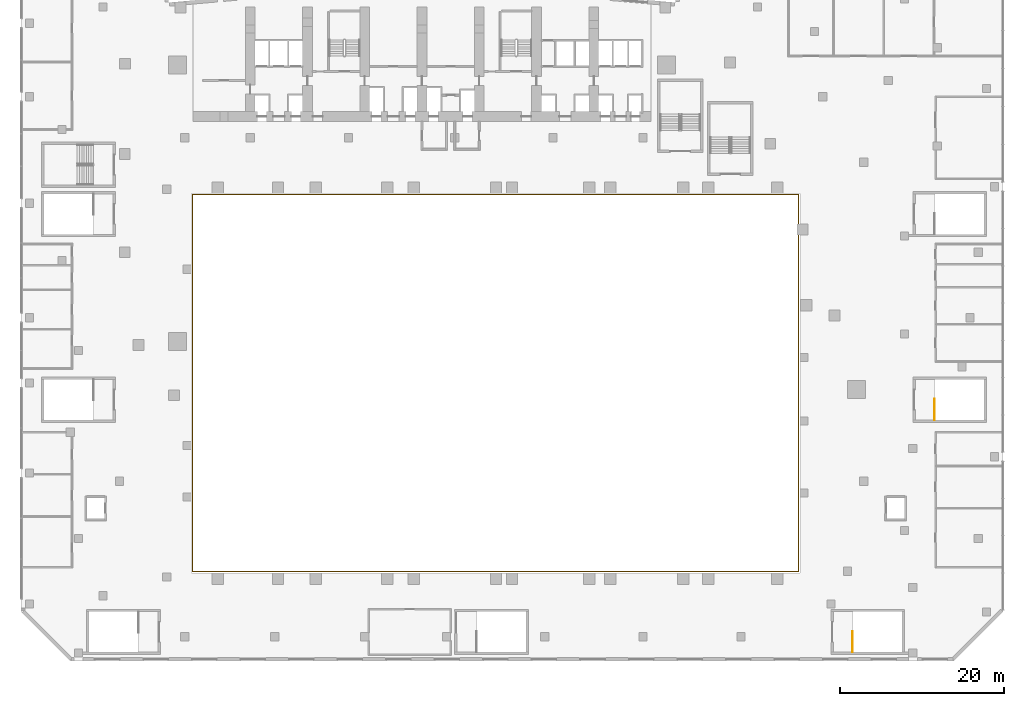
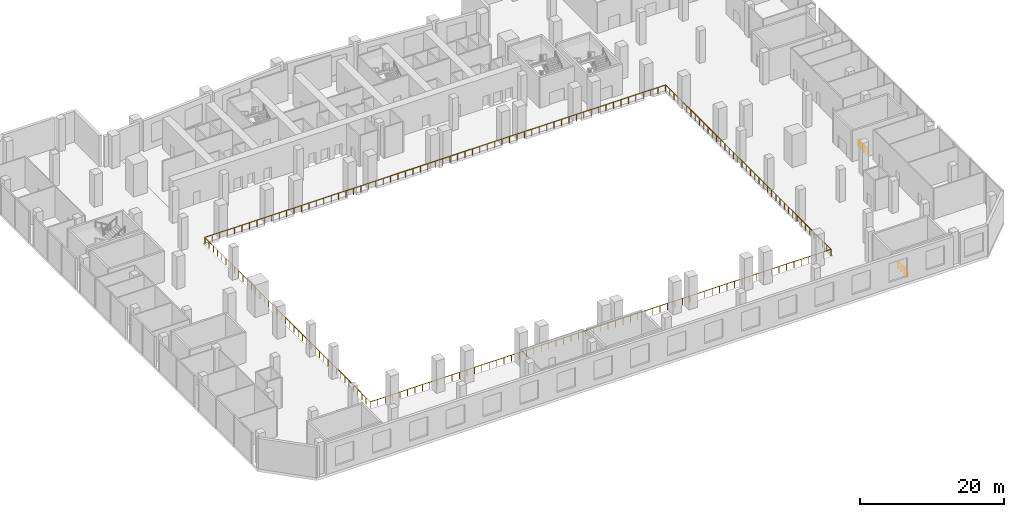
# One storey, part 22 of 25: 3 railings.
"""IFC4 building model written with IfcOpenShell, lengths in metres."""

from ifc_helpers import new_model, si_unit, direction, frame, origin, origin_2d, place, context, subcontext, project, spatial, circle, extrude, material, type_object, element, save


model = new_model("IFC4")

# Units and contexts
model_context = context("Model", 3, precision=1e-05, world=origin(), true_north=direction((0.0, 1.0)))
body_context = subcontext(model_context, "Body", "Model", "MODEL_VIEW")
ifc_project = project(units=[si_unit("LENGTHUNIT", "METRE"), si_unit("AREAUNIT", "SQUARE_METRE"), si_unit("VOLUMEUNIT", "CUBIC_METRE"), si_unit("PLANEANGLEUNIT", "RADIAN"), si_unit("MASSUNIT", "GRAM", prefix="KILO")], contexts=[model_context])

# Site, building, storey
site_placement = place(None, origin())
site = spatial("IfcSite", under=ifc_project, at=site_placement, CompositionType="ELEMENT")
building_placement = place(site_placement, origin())
building = spatial("IfcBuilding", under=site, at=building_placement, Name="Wharfspan Tower", CompositionType="ELEMENT")
storey_placement = place(building_placement, frame((0.0, 0.0, 27.5)))
storey = spatial("IfcBuildingStorey", under=building, at=storey_placement, Name="L04", CompositionType="ELEMENT", Elevation=27.5)

# Railings
ifc_material = material(Name="Steel S355J2", Category="steel")
railing_type_1 = type_object("IfcRailingType", Name="Guard 1100", PredefinedType="GUARDRAIL", material=ifc_material)
railing_1_placement = place(storey_placement, frame((8.949951, -21.050049, 0.0)))
element("IfcRailing", 1, at=railing_1_placement, inside=storey, type_object=railing_type_1, Name="Guard on the arena edge L04", PredefinedType="GUARDRAIL", context=body_context, shape_type="SweptSolid", body=[
    extrude(circle(Radius=0.024902, at=origin_2d()), frame((0.0, 0.0, 1.075195), z_axis=(1.0, 0.0, 0.0), x_axis=(0.0, 1.0, 0.0)), (0.0, 0.0, 1.0), 74.100098),
    extrude(circle(Radius=0.024902, at=origin_2d()), frame((74.100098, 0.0, 1.075195), z_axis=(0.0, 1.0, 0.0), x_axis=(-1.0, 0.0, 0.0)), (0.0, 0.0, 1.0), 46.100098),
    extrude(circle(Radius=0.024902, at=origin_2d()), frame((74.100098, 46.100098, 1.075195), z_axis=(-1.0, 0.0, 0.0), x_axis=(0.0, -1.0, 0.0)), (0.0, 0.0, 1.0), 74.100098),
    extrude(circle(Radius=0.024902, at=origin_2d()), frame((0.0, 46.100098, 1.075195), z_axis=(0.0, -1.0, 0.0), x_axis=(1.0, 0.0, 0.0)), (0.0, 0.0, 1.0), 46.100098),
    extrude(circle(Radius=0.02002, at=origin_2d()), origin(), (0.0, 0.0, 1.0), 1.050049),
    extrude(circle(Radius=0.02002, at=origin_2d()), frame((1.195068, 0.0, 0.0)), (0.0, 0.0, 1.0), 1.050049),
    extrude(circle(Radius=0.02002, at=origin_2d()), frame((2.390381, 0.0, 0.0)), (0.0, 0.0, 1.0), 1.050049),
    extrude(circle(Radius=0.02002, at=origin_2d()), frame((3.585449, 0.0, 0.0)), (0.0, 0.0, 1.0), 1.050049),
    extrude(circle(Radius=0.02002, at=origin_2d()), frame((4.780762, 0.0, 0.0)), (0.0, 0.0, 1.0), 1.050049),
    extrude(circle(Radius=0.02002, at=origin_2d()), frame((5.97583, 0.0, 0.0)), (0.0, 0.0, 1.0), 1.050049),
    extrude(circle(Radius=0.02002, at=origin_2d()), frame((7.170898, 0.0, 0.0)), (0.0, 0.0, 1.0), 1.050049),
    extrude(circle(Radius=0.02002, at=origin_2d()), frame((8.366211, 0.0, 0.0)), (0.0, 0.0, 1.0), 1.050049),
    extrude(circle(Radius=0.02002, at=origin_2d()), frame((9.561279, 0.0, 0.0)), (0.0, 0.0, 1.0), 1.050049),
    extrude(circle(Radius=0.02002, at=origin_2d()), frame((10.756348, 0.0, 0.0)), (0.0, 0.0, 1.0), 1.050049),
    extrude(circle(Radius=0.02002, at=origin_2d()), frame((11.95166, 0.0, 0.0)), (0.0, 0.0, 1.0), 1.050049),
    extrude(circle(Radius=0.02002, at=origin_2d()), frame((13.146729, 0.0, 0.0)), (0.0, 0.0, 1.0), 1.050049),
    extrude(circle(Radius=0.02002, at=origin_2d()), frame((14.342041, 0.0, 0.0)), (0.0, 0.0, 1.0), 1.050049),
    extrude(circle(Radius=0.02002, at=origin_2d()), frame((15.537109, 0.0, 0.0)), (0.0, 0.0, 1.0), 1.050049),
    extrude(circle(Radius=0.02002, at=origin_2d()), frame((16.732178, 0.0, 0.0)), (0.0, 0.0, 1.0), 1.050049),
    extrude(circle(Radius=0.02002, at=origin_2d()), frame((17.92749, 0.0, 0.0)), (0.0, 0.0, 1.0), 1.050049),
    extrude(circle(Radius=0.02002, at=origin_2d()), frame((19.122559, 0.0, 0.0)), (0.0, 0.0, 1.0), 1.050049),
    extrude(circle(Radius=0.02002, at=origin_2d()), frame((20.317871, 0.0, 0.0)), (0.0, 0.0, 1.0), 1.050049),
    extrude(circle(Radius=0.02002, at=origin_2d()), frame((21.512939, 0.0, 0.0)), (0.0, 0.0, 1.0), 1.050049),
    extrude(circle(Radius=0.02002, at=origin_2d()), frame((22.708008, 0.0, 0.0)), (0.0, 0.0, 1.0), 1.050049),
    extrude(circle(Radius=0.02002, at=origin_2d()), frame((23.90332, 0.0, 0.0)), (0.0, 0.0, 1.0), 1.050049),
    extrude(circle(Radius=0.02002, at=origin_2d()), frame((25.098389, 0.0, 0.0)), (0.0, 0.0, 1.0), 1.050049),
    extrude(circle(Radius=0.02002, at=origin_2d()), frame((26.293701, 0.0, 0.0)), (0.0, 0.0, 1.0), 1.050049),
    extrude(circle(Radius=0.02002, at=origin_2d()), frame((27.48877, 0.0, 0.0)), (0.0, 0.0, 1.0), 1.050049),
    extrude(circle(Radius=0.02002, at=origin_2d()), frame((28.683838, 0.0, 0.0)), (0.0, 0.0, 1.0), 1.050049),
    extrude(circle(Radius=0.02002, at=origin_2d()), frame((29.87915, 0.0, 0.0)), (0.0, 0.0, 1.0), 1.050049),
    extrude(circle(Radius=0.02002, at=origin_2d()), frame((31.074219, 0.0, 0.0)), (0.0, 0.0, 1.0), 1.050049),
    extrude(circle(Radius=0.02002, at=origin_2d()), frame((32.269287, 0.0, 0.0)), (0.0, 0.0, 1.0), 1.050049),
    extrude(circle(Radius=0.02002, at=origin_2d()), frame((33.4646, 0.0, 0.0)), (0.0, 0.0, 1.0), 1.050049),
    extrude(circle(Radius=0.02002, at=origin_2d()), frame((34.659668, 0.0, 0.0)), (0.0, 0.0, 1.0), 1.050049),
    extrude(circle(Radius=0.02002, at=origin_2d()), frame((35.85498, 0.0, 0.0)), (0.0, 0.0, 1.0), 1.050049),
    extrude(circle(Radius=0.02002, at=origin_2d()), frame((37.050049, 0.0, 0.0)), (0.0, 0.0, 1.0), 1.050049),
    extrude(circle(Radius=0.02002, at=origin_2d()), frame((38.245117, 0.0, 0.0)), (0.0, 0.0, 1.0), 1.050049),
    extrude(circle(Radius=0.02002, at=origin_2d()), frame((39.44043, 0.0, 0.0)), (0.0, 0.0, 1.0), 1.050049),
    extrude(circle(Radius=0.02002, at=origin_2d()), frame((40.635498, 0.0, 0.0)), (0.0, 0.0, 1.0), 1.050049),
    extrude(circle(Radius=0.02002, at=origin_2d()), frame((41.830811, 0.0, 0.0)), (0.0, 0.0, 1.0), 1.050049),
    extrude(circle(Radius=0.02002, at=origin_2d()), frame((43.025879, 0.0, 0.0)), (0.0, 0.0, 1.0), 1.050049),
    extrude(circle(Radius=0.02002, at=origin_2d()), frame((44.220947, 0.0, 0.0)), (0.0, 0.0, 1.0), 1.050049),
    extrude(circle(Radius=0.02002, at=origin_2d()), frame((45.41626, 0.0, 0.0)), (0.0, 0.0, 1.0), 1.050049),
    extrude(circle(Radius=0.02002, at=origin_2d()), frame((46.611328, 0.0, 0.0)), (0.0, 0.0, 1.0), 1.050049),
    extrude(circle(Radius=0.02002, at=origin_2d()), frame((47.806396, 0.0, 0.0)), (0.0, 0.0, 1.0), 1.050049),
    extrude(circle(Radius=0.02002, at=origin_2d()), frame((49.001709, 0.0, 0.0)), (0.0, 0.0, 1.0), 1.050049),
    extrude(circle(Radius=0.02002, at=origin_2d()), frame((50.196777, 0.0, 0.0)), (0.0, 0.0, 1.0), 1.050049),
    extrude(circle(Radius=0.02002, at=origin_2d()), frame((51.39209, 0.0, 0.0)), (0.0, 0.0, 1.0), 1.050049),
    extrude(circle(Radius=0.02002, at=origin_2d()), frame((52.587158, 0.0, 0.0)), (0.0, 0.0, 1.0), 1.050049),
    extrude(circle(Radius=0.02002, at=origin_2d()), frame((53.782227, 0.0, 0.0)), (0.0, 0.0, 1.0), 1.050049),
    extrude(circle(Radius=0.02002, at=origin_2d()), frame((54.977539, 0.0, 0.0)), (0.0, 0.0, 1.0), 1.050049),
    extrude(circle(Radius=0.02002, at=origin_2d()), frame((56.172607, 0.0, 0.0)), (0.0, 0.0, 1.0), 1.050049),
    extrude(circle(Radius=0.02002, at=origin_2d()), frame((57.36792, 0.0, 0.0)), (0.0, 0.0, 1.0), 1.050049),
    extrude(circle(Radius=0.02002, at=origin_2d()), frame((58.562988, 0.0, 0.0)), (0.0, 0.0, 1.0), 1.050049),
    extrude(circle(Radius=0.02002, at=origin_2d()), frame((59.758057, 0.0, 0.0)), (0.0, 0.0, 1.0), 1.050049),
    extrude(circle(Radius=0.02002, at=origin_2d()), frame((60.953369, 0.0, 0.0)), (0.0, 0.0, 1.0), 1.050049),
    extrude(circle(Radius=0.02002, at=origin_2d()), frame((62.148438, 0.0, 0.0)), (0.0, 0.0, 1.0), 1.050049),
    extrude(circle(Radius=0.02002, at=origin_2d()), frame((63.34375, 0.0, 0.0)), (0.0, 0.0, 1.0), 1.050049),
    extrude(circle(Radius=0.02002, at=origin_2d()), frame((64.538818, 0.0, 0.0)), (0.0, 0.0, 1.0), 1.050049),
    extrude(circle(Radius=0.02002, at=origin_2d()), frame((65.733887, 0.0, 0.0)), (0.0, 0.0, 1.0), 1.050049),
    extrude(circle(Radius=0.02002, at=origin_2d()), frame((66.929199, 0.0, 0.0)), (0.0, 0.0, 1.0), 1.050049),
    extrude(circle(Radius=0.02002, at=origin_2d()), frame((68.124268, 0.0, 0.0)), (0.0, 0.0, 1.0), 1.050049),
    extrude(circle(Radius=0.02002, at=origin_2d()), frame((69.319336, 0.0, 0.0)), (0.0, 0.0, 1.0), 1.050049),
    extrude(circle(Radius=0.02002, at=origin_2d()), frame((70.514648, 0.0, 0.0)), (0.0, 0.0, 1.0), 1.050049),
    extrude(circle(Radius=0.02002, at=origin_2d()), frame((71.709717, 0.0, 0.0)), (0.0, 0.0, 1.0), 1.050049),
    extrude(circle(Radius=0.02002, at=origin_2d()), frame((72.905029, 0.0, 0.0)), (0.0, 0.0, 1.0), 1.050049),
    extrude(circle(Radius=0.02002, at=origin_2d()), frame((74.100098, 0.0, 0.0)), (0.0, 0.0, 1.0), 1.050049),
    extrude(circle(Radius=0.02002, at=origin_2d()), frame((74.100098, 1.182129, 0.0)), (0.0, 0.0, 1.0), 1.050049),
    extrude(circle(Radius=0.02002, at=origin_2d()), frame((74.100098, 2.364014, 0.0)), (0.0, 0.0, 1.0), 1.050049),
    extrude(circle(Radius=0.02002, at=origin_2d()), frame((74.100098, 3.546143, 0.0)), (0.0, 0.0, 1.0), 1.050049),
    extrude(circle(Radius=0.02002, at=origin_2d()), frame((74.100098, 4.728271, 0.0)), (0.0, 0.0, 1.0), 1.050049),
    extrude(circle(Radius=0.02002, at=origin_2d()), frame((74.100098, 5.910156, 0.0)), (0.0, 0.0, 1.0), 1.050049),
    extrude(circle(Radius=0.02002, at=origin_2d()), frame((74.100098, 7.092285, 0.0)), (0.0, 0.0, 1.0), 1.050049),
    extrude(circle(Radius=0.02002, at=origin_2d()), frame((74.100098, 8.274414, 0.0)), (0.0, 0.0, 1.0), 1.050049),
    extrude(circle(Radius=0.02002, at=origin_2d()), frame((74.100098, 9.456543, 0.0)), (0.0, 0.0, 1.0), 1.050049),
    extrude(circle(Radius=0.02002, at=origin_2d()), frame((74.100098, 10.638428, 0.0)), (0.0, 0.0, 1.0), 1.050049),
    extrude(circle(Radius=0.02002, at=origin_2d()), frame((74.100098, 11.820557, 0.0)), (0.0, 0.0, 1.0), 1.050049),
    extrude(circle(Radius=0.02002, at=origin_2d()), frame((74.100098, 13.002686, 0.0)), (0.0, 0.0, 1.0), 1.050049),
    extrude(circle(Radius=0.02002, at=origin_2d()), frame((74.100098, 14.18457, 0.0)), (0.0, 0.0, 1.0), 1.050049),
    extrude(circle(Radius=0.02002, at=origin_2d()), frame((74.100098, 15.366699, 0.0)), (0.0, 0.0, 1.0), 1.050049),
    extrude(circle(Radius=0.02002, at=origin_2d()), frame((74.100098, 16.548828, 0.0)), (0.0, 0.0, 1.0), 1.050049),
    extrude(circle(Radius=0.02002, at=origin_2d()), frame((74.100098, 17.730713, 0.0)), (0.0, 0.0, 1.0), 1.050049),
    extrude(circle(Radius=0.02002, at=origin_2d()), frame((74.100098, 18.912842, 0.0)), (0.0, 0.0, 1.0), 1.050049),
    extrude(circle(Radius=0.02002, at=origin_2d()), frame((74.100098, 20.094971, 0.0)), (0.0, 0.0, 1.0), 1.050049),
    extrude(circle(Radius=0.02002, at=origin_2d()), frame((74.100098, 21.276855, 0.0)), (0.0, 0.0, 1.0), 1.050049),
    extrude(circle(Radius=0.02002, at=origin_2d()), frame((74.100098, 22.458984, 0.0)), (0.0, 0.0, 1.0), 1.050049),
    extrude(circle(Radius=0.02002, at=origin_2d()), frame((74.100098, 23.641113, 0.0)), (0.0, 0.0, 1.0), 1.050049),
    extrude(circle(Radius=0.02002, at=origin_2d()), frame((74.100098, 24.823242, 0.0)), (0.0, 0.0, 1.0), 1.050049),
    extrude(circle(Radius=0.02002, at=origin_2d()), frame((74.100098, 26.005127, 0.0)), (0.0, 0.0, 1.0), 1.050049),
    extrude(circle(Radius=0.02002, at=origin_2d()), frame((74.100098, 27.187256, 0.0)), (0.0, 0.0, 1.0), 1.050049),
    extrude(circle(Radius=0.02002, at=origin_2d()), frame((74.100098, 28.369385, 0.0)), (0.0, 0.0, 1.0), 1.050049),
    extrude(circle(Radius=0.02002, at=origin_2d()), frame((74.100098, 29.55127, 0.0)), (0.0, 0.0, 1.0), 1.050049),
    extrude(circle(Radius=0.02002, at=origin_2d()), frame((74.100098, 30.733398, 0.0)), (0.0, 0.0, 1.0), 1.050049),
    extrude(circle(Radius=0.02002, at=origin_2d()), frame((74.100098, 31.915527, 0.0)), (0.0, 0.0, 1.0), 1.050049),
    extrude(circle(Radius=0.02002, at=origin_2d()), frame((74.100098, 33.097412, 0.0)), (0.0, 0.0, 1.0), 1.050049),
    extrude(circle(Radius=0.02002, at=origin_2d()), frame((74.100098, 34.279541, 0.0)), (0.0, 0.0, 1.0), 1.050049),
    extrude(circle(Radius=0.02002, at=origin_2d()), frame((74.100098, 35.46167, 0.0)), (0.0, 0.0, 1.0), 1.050049),
    extrude(circle(Radius=0.02002, at=origin_2d()), frame((74.100098, 36.643555, 0.0)), (0.0, 0.0, 1.0), 1.050049),
    extrude(circle(Radius=0.02002, at=origin_2d()), frame((74.100098, 37.825684, 0.0)), (0.0, 0.0, 1.0), 1.050049),
    extrude(circle(Radius=0.02002, at=origin_2d()), frame((74.100098, 39.007812, 0.0)), (0.0, 0.0, 1.0), 1.050049),
    extrude(circle(Radius=0.02002, at=origin_2d()), frame((74.100098, 40.189941, 0.0)), (0.0, 0.0, 1.0), 1.050049),
    extrude(circle(Radius=0.02002, at=origin_2d()), frame((74.100098, 41.371826, 0.0)), (0.0, 0.0, 1.0), 1.050049),
    extrude(circle(Radius=0.02002, at=origin_2d()), frame((74.100098, 42.553955, 0.0)), (0.0, 0.0, 1.0), 1.050049),
    extrude(circle(Radius=0.02002, at=origin_2d()), frame((74.100098, 43.736084, 0.0)), (0.0, 0.0, 1.0), 1.050049),
    extrude(circle(Radius=0.02002, at=origin_2d()), frame((74.100098, 44.917969, 0.0)), (0.0, 0.0, 1.0), 1.050049),
    extrude(circle(Radius=0.02002, at=origin_2d()), frame((74.100098, 46.100098, 0.0)), (0.0, 0.0, 1.0), 1.050049),
    extrude(circle(Radius=0.02002, at=origin_2d()), frame((72.905029, 46.100098, 0.0)), (0.0, 0.0, 1.0), 1.050049),
    extrude(circle(Radius=0.02002, at=origin_2d()), frame((71.709717, 46.100098, 0.0)), (0.0, 0.0, 1.0), 1.050049),
    extrude(circle(Radius=0.02002, at=origin_2d()), frame((70.514648, 46.100098, 0.0)), (0.0, 0.0, 1.0), 1.050049),
    extrude(circle(Radius=0.02002, at=origin_2d()), frame((69.319336, 46.100098, 0.0)), (0.0, 0.0, 1.0), 1.050049),
    extrude(circle(Radius=0.02002, at=origin_2d()), frame((68.124268, 46.100098, 0.0)), (0.0, 0.0, 1.0), 1.050049),
    extrude(circle(Radius=0.02002, at=origin_2d()), frame((66.929199, 46.100098, 0.0)), (0.0, 0.0, 1.0), 1.050049),
    extrude(circle(Radius=0.02002, at=origin_2d()), frame((65.733887, 46.100098, 0.0)), (0.0, 0.0, 1.0), 1.050049),
    extrude(circle(Radius=0.02002, at=origin_2d()), frame((64.538818, 46.100098, 0.0)), (0.0, 0.0, 1.0), 1.050049),
    extrude(circle(Radius=0.02002, at=origin_2d()), frame((63.34375, 46.100098, 0.0)), (0.0, 0.0, 1.0), 1.050049),
    extrude(circle(Radius=0.02002, at=origin_2d()), frame((62.148438, 46.100098, 0.0)), (0.0, 0.0, 1.0), 1.050049),
    extrude(circle(Radius=0.02002, at=origin_2d()), frame((60.953369, 46.100098, 0.0)), (0.0, 0.0, 1.0), 1.050049),
    extrude(circle(Radius=0.02002, at=origin_2d()), frame((59.758057, 46.100098, 0.0)), (0.0, 0.0, 1.0), 1.050049),
    extrude(circle(Radius=0.02002, at=origin_2d()), frame((58.562988, 46.100098, 0.0)), (0.0, 0.0, 1.0), 1.050049),
    extrude(circle(Radius=0.02002, at=origin_2d()), frame((57.36792, 46.100098, 0.0)), (0.0, 0.0, 1.0), 1.050049),
    extrude(circle(Radius=0.02002, at=origin_2d()), frame((56.172607, 46.100098, 0.0)), (0.0, 0.0, 1.0), 1.050049),
    extrude(circle(Radius=0.02002, at=origin_2d()), frame((54.977539, 46.100098, 0.0)), (0.0, 0.0, 1.0), 1.050049),
    extrude(circle(Radius=0.02002, at=origin_2d()), frame((53.782227, 46.100098, 0.0)), (0.0, 0.0, 1.0), 1.050049),
    extrude(circle(Radius=0.02002, at=origin_2d()), frame((52.587158, 46.100098, 0.0)), (0.0, 0.0, 1.0), 1.050049),
    extrude(circle(Radius=0.02002, at=origin_2d()), frame((51.39209, 46.100098, 0.0)), (0.0, 0.0, 1.0), 1.050049),
    extrude(circle(Radius=0.02002, at=origin_2d()), frame((50.196777, 46.100098, 0.0)), (0.0, 0.0, 1.0), 1.050049),
    extrude(circle(Radius=0.02002, at=origin_2d()), frame((49.001709, 46.100098, 0.0)), (0.0, 0.0, 1.0), 1.050049),
    extrude(circle(Radius=0.02002, at=origin_2d()), frame((47.806396, 46.100098, 0.0)), (0.0, 0.0, 1.0), 1.050049),
    extrude(circle(Radius=0.02002, at=origin_2d()), frame((46.611328, 46.100098, 0.0)), (0.0, 0.0, 1.0), 1.050049),
    extrude(circle(Radius=0.02002, at=origin_2d()), frame((45.41626, 46.100098, 0.0)), (0.0, 0.0, 1.0), 1.050049),
    extrude(circle(Radius=0.02002, at=origin_2d()), frame((44.220947, 46.100098, 0.0)), (0.0, 0.0, 1.0), 1.050049),
    extrude(circle(Radius=0.02002, at=origin_2d()), frame((43.025879, 46.100098, 0.0)), (0.0, 0.0, 1.0), 1.050049),
    extrude(circle(Radius=0.02002, at=origin_2d()), frame((41.830811, 46.100098, 0.0)), (0.0, 0.0, 1.0), 1.050049),
    extrude(circle(Radius=0.02002, at=origin_2d()), frame((40.635498, 46.100098, 0.0)), (0.0, 0.0, 1.0), 1.050049),
    extrude(circle(Radius=0.02002, at=origin_2d()), frame((39.44043, 46.100098, 0.0)), (0.0, 0.0, 1.0), 1.050049),
    extrude(circle(Radius=0.02002, at=origin_2d()), frame((38.245117, 46.100098, 0.0)), (0.0, 0.0, 1.0), 1.050049),
    extrude(circle(Radius=0.02002, at=origin_2d()), frame((37.050049, 46.100098, 0.0)), (0.0, 0.0, 1.0), 1.050049),
    extrude(circle(Radius=0.02002, at=origin_2d()), frame((35.85498, 46.100098, 0.0)), (0.0, 0.0, 1.0), 1.050049),
    extrude(circle(Radius=0.02002, at=origin_2d()), frame((34.659668, 46.100098, 0.0)), (0.0, 0.0, 1.0), 1.050049),
    extrude(circle(Radius=0.02002, at=origin_2d()), frame((33.4646, 46.100098, 0.0)), (0.0, 0.0, 1.0), 1.050049),
    extrude(circle(Radius=0.02002, at=origin_2d()), frame((32.269287, 46.100098, 0.0)), (0.0, 0.0, 1.0), 1.050049),
    extrude(circle(Radius=0.02002, at=origin_2d()), frame((31.074219, 46.100098, 0.0)), (0.0, 0.0, 1.0), 1.050049),
    extrude(circle(Radius=0.02002, at=origin_2d()), frame((29.87915, 46.100098, 0.0)), (0.0, 0.0, 1.0), 1.050049),
    extrude(circle(Radius=0.02002, at=origin_2d()), frame((28.683838, 46.100098, 0.0)), (0.0, 0.0, 1.0), 1.050049),
    extrude(circle(Radius=0.02002, at=origin_2d()), frame((27.48877, 46.100098, 0.0)), (0.0, 0.0, 1.0), 1.050049),
    extrude(circle(Radius=0.02002, at=origin_2d()), frame((26.293701, 46.100098, 0.0)), (0.0, 0.0, 1.0), 1.050049),
    extrude(circle(Radius=0.02002, at=origin_2d()), frame((25.098389, 46.100098, 0.0)), (0.0, 0.0, 1.0), 1.050049),
    extrude(circle(Radius=0.02002, at=origin_2d()), frame((23.90332, 46.100098, 0.0)), (0.0, 0.0, 1.0), 1.050049),
    extrude(circle(Radius=0.02002, at=origin_2d()), frame((22.708008, 46.100098, 0.0)), (0.0, 0.0, 1.0), 1.050049),
    extrude(circle(Radius=0.02002, at=origin_2d()), frame((21.512939, 46.100098, 0.0)), (0.0, 0.0, 1.0), 1.050049),
    extrude(circle(Radius=0.02002, at=origin_2d()), frame((20.317871, 46.100098, 0.0)), (0.0, 0.0, 1.0), 1.050049),
    extrude(circle(Radius=0.02002, at=origin_2d()), frame((19.122559, 46.100098, 0.0)), (0.0, 0.0, 1.0), 1.050049),
    extrude(circle(Radius=0.02002, at=origin_2d()), frame((17.92749, 46.100098, 0.0)), (0.0, 0.0, 1.0), 1.050049),
    extrude(circle(Radius=0.02002, at=origin_2d()), frame((16.732178, 46.100098, 0.0)), (0.0, 0.0, 1.0), 1.050049),
    extrude(circle(Radius=0.02002, at=origin_2d()), frame((15.537109, 46.100098, 0.0)), (0.0, 0.0, 1.0), 1.050049),
    extrude(circle(Radius=0.02002, at=origin_2d()), frame((14.342041, 46.100098, 0.0)), (0.0, 0.0, 1.0), 1.050049),
    extrude(circle(Radius=0.02002, at=origin_2d()), frame((13.146729, 46.100098, 0.0)), (0.0, 0.0, 1.0), 1.050049),
    extrude(circle(Radius=0.02002, at=origin_2d()), frame((11.95166, 46.100098, 0.0)), (0.0, 0.0, 1.0), 1.050049),
    extrude(circle(Radius=0.02002, at=origin_2d()), frame((10.756348, 46.100098, 0.0)), (0.0, 0.0, 1.0), 1.050049),
    extrude(circle(Radius=0.02002, at=origin_2d()), frame((9.561279, 46.100098, 0.0)), (0.0, 0.0, 1.0), 1.050049),
    extrude(circle(Radius=0.02002, at=origin_2d()), frame((8.366211, 46.100098, 0.0)), (0.0, 0.0, 1.0), 1.050049),
    extrude(circle(Radius=0.02002, at=origin_2d()), frame((7.170898, 46.100098, 0.0)), (0.0, 0.0, 1.0), 1.050049),
    extrude(circle(Radius=0.02002, at=origin_2d()), frame((5.97583, 46.100098, 0.0)), (0.0, 0.0, 1.0), 1.050049),
    extrude(circle(Radius=0.02002, at=origin_2d()), frame((4.780762, 46.100098, 0.0)), (0.0, 0.0, 1.0), 1.050049),
    extrude(circle(Radius=0.02002, at=origin_2d()), frame((3.585449, 46.100098, 0.0)), (0.0, 0.0, 1.0), 1.050049),
    extrude(circle(Radius=0.02002, at=origin_2d()), frame((2.390381, 46.100098, 0.0)), (0.0, 0.0, 1.0), 1.050049),
    extrude(circle(Radius=0.02002, at=origin_2d()), frame((1.195068, 46.100098, 0.0)), (0.0, 0.0, 1.0), 1.050049),
    extrude(circle(Radius=0.02002, at=origin_2d()), frame((0.0, 46.100098, 0.0)), (0.0, 0.0, 1.0), 1.050049),
    extrude(circle(Radius=0.02002, at=origin_2d()), frame((0.0, 44.917969, 0.0)), (0.0, 0.0, 1.0), 1.050049),
    extrude(circle(Radius=0.02002, at=origin_2d()), frame((0.0, 43.736084, 0.0)), (0.0, 0.0, 1.0), 1.050049),
    extrude(circle(Radius=0.02002, at=origin_2d()), frame((0.0, 42.553955, 0.0)), (0.0, 0.0, 1.0), 1.050049),
    extrude(circle(Radius=0.02002, at=origin_2d()), frame((0.0, 41.371826, 0.0)), (0.0, 0.0, 1.0), 1.050049),
    extrude(circle(Radius=0.02002, at=origin_2d()), frame((0.0, 40.189941, 0.0)), (0.0, 0.0, 1.0), 1.050049),
    extrude(circle(Radius=0.02002, at=origin_2d()), frame((0.0, 39.007812, 0.0)), (0.0, 0.0, 1.0), 1.050049),
    extrude(circle(Radius=0.02002, at=origin_2d()), frame((0.0, 37.825684, 0.0)), (0.0, 0.0, 1.0), 1.050049),
    extrude(circle(Radius=0.02002, at=origin_2d()), frame((0.0, 36.643555, 0.0)), (0.0, 0.0, 1.0), 1.050049),
    extrude(circle(Radius=0.02002, at=origin_2d()), frame((0.0, 35.46167, 0.0)), (0.0, 0.0, 1.0), 1.050049),
    extrude(circle(Radius=0.02002, at=origin_2d()), frame((0.0, 34.279541, 0.0)), (0.0, 0.0, 1.0), 1.050049),
    extrude(circle(Radius=0.02002, at=origin_2d()), frame((0.0, 33.097412, 0.0)), (0.0, 0.0, 1.0), 1.050049),
    extrude(circle(Radius=0.02002, at=origin_2d()), frame((0.0, 31.915527, 0.0)), (0.0, 0.0, 1.0), 1.050049),
    extrude(circle(Radius=0.02002, at=origin_2d()), frame((0.0, 30.733398, 0.0)), (0.0, 0.0, 1.0), 1.050049),
    extrude(circle(Radius=0.02002, at=origin_2d()), frame((0.0, 29.55127, 0.0)), (0.0, 0.0, 1.0), 1.050049),
    extrude(circle(Radius=0.02002, at=origin_2d()), frame((0.0, 28.369385, 0.0)), (0.0, 0.0, 1.0), 1.050049),
    extrude(circle(Radius=0.02002, at=origin_2d()), frame((0.0, 27.187256, 0.0)), (0.0, 0.0, 1.0), 1.050049),
    extrude(circle(Radius=0.02002, at=origin_2d()), frame((0.0, 26.005127, 0.0)), (0.0, 0.0, 1.0), 1.050049),
    extrude(circle(Radius=0.02002, at=origin_2d()), frame((0.0, 24.823242, 0.0)), (0.0, 0.0, 1.0), 1.050049),
    extrude(circle(Radius=0.02002, at=origin_2d()), frame((0.0, 23.641113, 0.0)), (0.0, 0.0, 1.0), 1.050049),
    extrude(circle(Radius=0.02002, at=origin_2d()), frame((0.0, 22.458984, 0.0)), (0.0, 0.0, 1.0), 1.050049),
    extrude(circle(Radius=0.02002, at=origin_2d()), frame((0.0, 21.276855, 0.0)), (0.0, 0.0, 1.0), 1.050049),
    extrude(circle(Radius=0.02002, at=origin_2d()), frame((0.0, 20.094971, 0.0)), (0.0, 0.0, 1.0), 1.050049),
    extrude(circle(Radius=0.02002, at=origin_2d()), frame((0.0, 18.912842, 0.0)), (0.0, 0.0, 1.0), 1.050049),
    extrude(circle(Radius=0.02002, at=origin_2d()), frame((0.0, 17.730713, 0.0)), (0.0, 0.0, 1.0), 1.050049),
    extrude(circle(Radius=0.02002, at=origin_2d()), frame((0.0, 16.548828, 0.0)), (0.0, 0.0, 1.0), 1.050049),
    extrude(circle(Radius=0.02002, at=origin_2d()), frame((0.0, 15.366699, 0.0)), (0.0, 0.0, 1.0), 1.050049),
    extrude(circle(Radius=0.02002, at=origin_2d()), frame((0.0, 14.18457, 0.0)), (0.0, 0.0, 1.0), 1.050049),
    extrude(circle(Radius=0.02002, at=origin_2d()), frame((0.0, 13.002686, 0.0)), (0.0, 0.0, 1.0), 1.050049),
    extrude(circle(Radius=0.02002, at=origin_2d()), frame((0.0, 11.820557, 0.0)), (0.0, 0.0, 1.0), 1.050049),
    extrude(circle(Radius=0.02002, at=origin_2d()), frame((0.0, 10.638428, 0.0)), (0.0, 0.0, 1.0), 1.050049),
    extrude(circle(Radius=0.02002, at=origin_2d()), frame((0.0, 9.456543, 0.0)), (0.0, 0.0, 1.0), 1.050049),
    extrude(circle(Radius=0.02002, at=origin_2d()), frame((0.0, 8.274414, 0.0)), (0.0, 0.0, 1.0), 1.050049),
    extrude(circle(Radius=0.02002, at=origin_2d()), frame((0.0, 7.092285, 0.0)), (0.0, 0.0, 1.0), 1.050049),
    extrude(circle(Radius=0.02002, at=origin_2d()), frame((0.0, 5.910156, 0.0)), (0.0, 0.0, 1.0), 1.050049),
    extrude(circle(Radius=0.02002, at=origin_2d()), frame((0.0, 4.728271, 0.0)), (0.0, 0.0, 1.0), 1.050049),
    extrude(circle(Radius=0.02002, at=origin_2d()), frame((0.0, 3.546143, 0.0)), (0.0, 0.0, 1.0), 1.050049),
    extrude(circle(Radius=0.02002, at=origin_2d()), frame((0.0, 2.364014, 0.0)), (0.0, 0.0, 1.0), 1.050049),
    extrude(circle(Radius=0.02002, at=origin_2d()), frame((0.0, 1.182129, 0.0)), (0.0, 0.0, 1.0), 1.050049),
])
railing_type_2 = type_object("IfcRailingType", Name="Podium guard 1100", PredefinedType="GUARDRAIL", material=ifc_material)
railing_2_placement = place(storey_placement, frame((89.649902, -30.899902, 0.0)))
element("IfcRailing", 2, at=railing_2_placement, inside=storey, type_object=railing_type_2, Name="L04 AS2 top well guard 1", PredefinedType="GUARDRAIL", context=body_context, shape_type="SweptSolid", body=[
    extrude(circle(Radius=0.023926, at=origin_2d()), frame((0.0, 0.0, 1.076172), z_axis=(0.0, 1.0, 0.0), x_axis=(-1.0, 0.0, 0.0)), (0.0, 0.0, 1.0), 2.549805),
    extrude(circle(Radius=0.020996, at=origin_2d()), origin(), (0.0, 0.0, 1.0), 1.052002),
    extrude(circle(Radius=0.020996, at=origin_2d()), frame((0.0, 0.849854, 0.0)), (0.0, 0.0, 1.0), 1.052002),
    extrude(circle(Radius=0.020996, at=origin_2d()), frame((0.0, 1.699951, 0.0)), (0.0, 0.0, 1.0), 1.052002),
    extrude(circle(Radius=0.020996, at=origin_2d()), frame((0.0, 2.549805, 0.0)), (0.0, 0.0, 1.0), 1.052002),
])
railing_3_placement = place(storey_placement, frame((99.649902, -2.5, 0.0)))
element("IfcRailing", 3, at=railing_3_placement, inside=storey, type_object=railing_type_2, Name="L04 AS8 top well guard 1", PredefinedType="GUARDRAIL", context=body_context, shape_type="SweptSolid", body=[
    extrude(circle(Radius=0.023926, at=origin_2d()), frame((0.0, 0.0, 1.076172), z_axis=(0.0, 1.0, 0.0), x_axis=(-1.0, 0.0, 0.0)), (0.0, 0.0, 1.0), 2.550049),
    extrude(circle(Radius=0.020996, at=origin_2d()), origin(), (0.0, 0.0, 1.0), 1.052002),
    extrude(circle(Radius=0.020996, at=origin_2d()), frame((0.0, 0.850098, 0.0)), (0.0, 0.0, 1.0), 1.052002),
    extrude(circle(Radius=0.020996, at=origin_2d()), frame((0.0, 1.699951, 0.0)), (0.0, 0.0, 1.0), 1.052002),
    extrude(circle(Radius=0.020996, at=origin_2d()), frame((0.0, 2.550049, 0.0)), (0.0, 0.0, 1.0), 1.052002),
])

save(model, "model.ifc")
